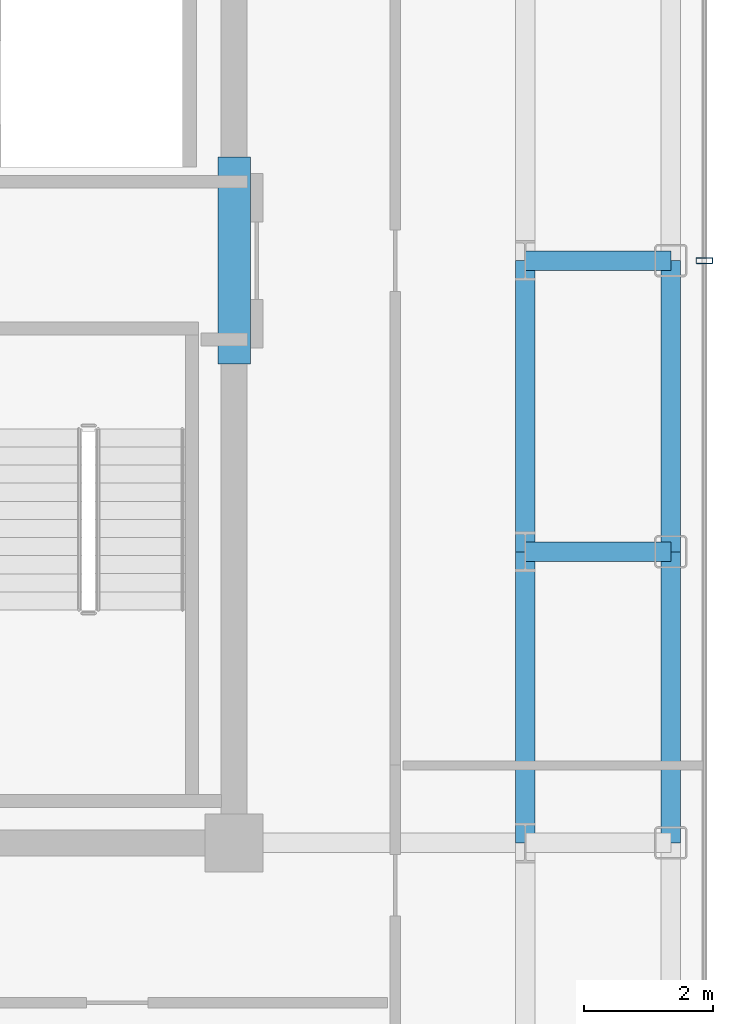
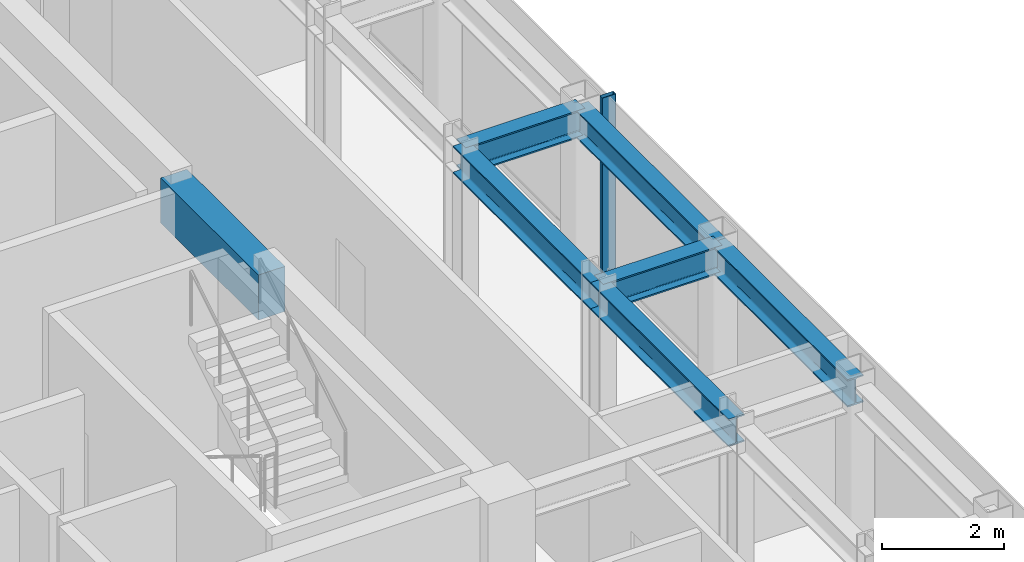
# One storey, part 7 of 18: 7 beams, 1 member, 1 element without a shape of its own.
"""IFC4 building model written with IfcOpenShell, lengths in metres."""

from ifc_helpers import new_model, si_unit, direction, frame, origin, origin_2d, place, context, subcontext, project, spatial, rectangle, hollow_rectangle, i_section, extrude, source, transform, mapped, material, layer, layer_set, material_profile, profile_set, type_object, element, aggregate, save


model = new_model("IFC4")

# Units and contexts
model_context = context("Model", 3, precision=1e-05, world=origin(), true_north=direction((0.0, 1.0)))
body_context = subcontext(model_context, "Body", "Model", "MODEL_VIEW")
ifc_project = project(units=[si_unit("LENGTHUNIT", "METRE"), si_unit("AREAUNIT", "SQUARE_METRE"), si_unit("VOLUMEUNIT", "CUBIC_METRE"), si_unit("PLANEANGLEUNIT", "RADIAN"), si_unit("MASSUNIT", "GRAM", prefix="KILO")], contexts=[model_context])

# Site, building, storey
site_placement = place(None, origin())
site = spatial("IfcSite", under=ifc_project, at=site_placement, CompositionType="ELEMENT")
building_placement = place(site_placement, origin())
building = spatial("IfcBuilding", under=site, at=building_placement, Name="Nefas-Gora Pilgrimage Tower", CompositionType="ELEMENT")
storey_placement = place(building_placement, frame((0.0, 0.0, 330.0)))
storey = spatial("IfcBuildingStorey", under=building, at=storey_placement, Name="L83", CompositionType="ELEMENT", Elevation=330.0)

# Beams
ifc_material_1 = material(Name="Concrete C50/60", Category="concrete")
ifc_material_profile_1 = material_profile(ifc_material_1, rectangle(XDim=0.5, YDim=0.89990234375, at=origin_2d()), Name="RC 500x900")
ifc_profile_set_1 = profile_set([ifc_material_profile_1], Name="Concrete C50/60")
beam_type_1 = type_object("IfcBeamType", Name="BM-LIN-RC900", PredefinedType="LINTEL", material=ifc_profile_set_1)
shared_shape_1 = source(origin(), body_context, "Body", "SweptSolid", [
    extrude(rectangle(XDim=0.5, YDim=0.89990234375, at=origin_2d()), origin(), (0.0, 0.0, 1.0), 3.2001953125),
])
beam_placement = place(storey_placement, frame((11.25, -1.60009765625, 3.10009765625), z_axis=(0.0, 1.0, 0.0), x_axis=(-1.0, 0.0, 0.0)))
element("IfcBeam", 1, at=beam_placement, inside=storey, type_object=beam_type_1, Name="L83 Core Coupling Lintel Beam E", PredefinedType="LINTEL", context=body_context, shape_type="MappedRepresentation", body=[
    mapped(shared_shape_1, transform((0.0, 0.0, 0.0), x_axis=(1.0, 0.0, 0.0), y_axis=(0.0, 1.0, 0.0), z_axis=(0.0, 0.0, 1.0), scale=1.0)),
])
ifc_material_2 = material(Name="Steel S355", Category="steel")
ifc_material_profile_2 = material_profile(ifc_material_2, i_section(OverallWidth=0.300048828125, OverallDepth=0.550048828125, WebThickness=0.014892578125, FlangeThickness=0.029052734375, FilletRadius=0.027099609375, at=origin_2d()), Name="HEB 550")
ifc_profile_set_2 = profile_set([ifc_material_profile_2], Name="Steel S355")
beam_type_2 = type_object("IfcBeamType", Name="BM-SPN-HEB400", PredefinedType="SPANDREL", material=ifc_profile_set_2)
shared_shape_2 = source(origin(), body_context, "Body", "SweptSolid", [
    extrude(i_section(OverallWidth=0.300048828125, OverallDepth=0.550048828125, WebThickness=0.014892578125, FlangeThickness=0.029052734375, FilletRadius=0.027099609375, at=origin_2d()), origin(), (0.0, 0.0, 1.0), 4.5),
])
for number, where, z_axis, x_axis, name in (
    (2, (18.0, -9.0, 3.27490234375), (0.0, 1.0, 0.0), (-1.0, 0.0, 0.0), "L83 SP-04 beam"),
    (3, (18.0, -4.5, 3.27490234375), (0.0, 1.0, 0.0), (-1.0, 0.0, 0.0), "L83 SP-04 beam"),
):
    element("IfcBeam", number, at=place(storey_placement, frame(where, z_axis=z_axis, x_axis=x_axis)), inside=storey, type_object=beam_type_2, Name=name, PredefinedType="SPANDREL", context=body_context, shape_type="MappedRepresentation", body=[
        mapped(shared_shape_2, transform((0.0, 0.0, 0.0), x_axis=(1.0, 0.0, 0.0), y_axis=(0.0, 1.0, 0.0), z_axis=(0.0, 0.0, 1.0), scale=1.0)),
    ])
ifc_material_profile_3 = material_profile(ifc_material_2, i_section(OverallWidth=0.300048828125, OverallDepth=0.550048828125, WebThickness=0.014892578125, FlangeThickness=0.029052734375, FilletRadius=0.027099609375, at=origin_2d()), Name="HEB 550")
ifc_profile_set_3 = profile_set([ifc_material_profile_3], Name="Steel S355")
beam_type_3 = type_object("IfcBeamType", Name="BM-GIR-HEB550", PredefinedType="BEAM", material=ifc_profile_set_3)
shared_shape_3 = source(origin(), body_context, "Body", "SweptSolid", [
    extrude(i_section(OverallWidth=0.300048828125, OverallDepth=0.550048828125, WebThickness=0.014892578125, FlangeThickness=0.029052734375, FilletRadius=0.027099609375, at=origin_2d()), origin(), (0.0, 0.0, 1.0), 4.5),
])
for number, where, z_axis, x_axis, name in (
    (4, (15.75, -9.0, 3.27490234375), (0.0, 1.0, 0.0), (-1.0, 0.0, 0.0), "L83 G-05 beam"),
    (5, (15.75, -4.5, 3.27490234375), (0.0, 1.0, 0.0), (-1.0, 0.0, 0.0), "L83 G-05 beam"),
):
    element("IfcBeam", number, at=place(storey_placement, frame(where, z_axis=z_axis, x_axis=x_axis)), inside=storey, type_object=beam_type_3, Name=name, PredefinedType="BEAM", context=body_context, shape_type="MappedRepresentation", body=[
        mapped(shared_shape_3, transform((0.0, 0.0, 0.0), x_axis=(1.0, 0.0, 0.0), y_axis=(0.0, 1.0, 0.0), z_axis=(0.0, 0.0, 1.0), scale=1.0)),
    ])
shared_shape_4 = source(origin(), body_context, "Body", "SweptSolid", [
    extrude(i_section(OverallWidth=0.300048828125, OverallDepth=0.550048828125, WebThickness=0.014892578125, FlangeThickness=0.029052734375, FilletRadius=0.027099609375, at=origin_2d()), origin(), (0.0, 0.0, 1.0), 2.25),
])
for number, where, z_axis, x_axis, name in (
    (6, (15.75, -4.5, 3.27490234375), (1.0, 0.0, 0.0), (0.0, 1.0, 0.0), "L83 G-05 beam"),
    (7, (15.75, 0.0, 3.27490234375), (1.0, 0.0, 0.0), (0.0, 1.0, 0.0), "L83 G-05 beam"),
):
    element("IfcBeam", number, at=place(storey_placement, frame(where, z_axis=z_axis, x_axis=x_axis)), inside=storey, type_object=beam_type_3, Name=name, PredefinedType="BEAM", context=body_context, shape_type="MappedRepresentation", body=[
        mapped(shared_shape_4, transform((0.0, 0.0, 0.0), x_axis=(1.0, 0.0, 0.0), y_axis=(0.0, 1.0, 0.0), z_axis=(0.0, 0.0, 1.0), scale=1.0)),
    ])

# Curtain wall, member
ifc_material_3 = material(Name="Dark ceramic-fritted solar-control aluminium-glass curtain wall", Category="aluminium")
ifc_layer = layer(ifc_material_3, 0.219970703125)
ifc_layer_set = layer_set([ifc_layer], Name="Dark ceramic-fritted solar-control aluminium-glass curtain wall")
curtain_wall_type = type_object("IfcCurtainWallType", Name="CW-SYS-4", PredefinedType="NOTDEFINED", material=ifc_layer_set)
curtain_wall_placement = place(storey_placement, origin())
curtain_wall = element("IfcCurtainWall", 8, at=curtain_wall_placement, inside=storey, type_object=curtain_wall_type, Name="L83 Unitised Curtain Wall CW4", PredefinedType="NOTDEFINED")
ifc_material_4 = material(Name="Anodised architectural aluminium", Category="aluminium")
ifc_material_profile_4 = material_profile(ifc_material_4, hollow_rectangle(XDim=0.090087890625, YDim=0.260009765625, WallThickness=0.006103515625, InnerFilletRadius=0.006103515625, OuterFilletRadius=0.011962890625, at=origin_2d()), Name="ALU MULLION 90x260")
ifc_profile_set_4 = profile_set([ifc_material_profile_4], Name="Anodised architectural aluminium")
member_type = type_object("IfcMemberType", Name="CWM-MUL-4", PredefinedType="MULLION", material=ifc_profile_set_4)
shared_shape_5 = source(origin(), body_context, "Body", "SweptSolid", [
    extrude(hollow_rectangle(XDim=0.090087890625, YDim=0.260009765625, WallThickness=0.006103515625, InnerFilletRadius=0.006103515625, OuterFilletRadius=0.011962890625, at=origin_2d()), origin(), (0.0, 0.0, 1.0), 3.550048828125),
])
member_placement = place(storey_placement, frame((18.52001953125, 0.0, 0.0), z_axis=(0.0, 0.0, 1.0), x_axis=(0.0, 1.0, 0.0)))
member = element("IfcMember", 9, at=member_placement, type_object=member_type, Name="CW4 Mullion 2", PredefinedType="MULLION", context=body_context, shape_type="MappedRepresentation", body=[
    mapped(shared_shape_5, transform((0.0, 0.0, 0.0), x_axis=(1.0, 0.0, 0.0), y_axis=(0.0, 1.0, 0.0), z_axis=(0.0, 0.0, 1.0), scale=1.0)),
])
aggregate(curtain_wall, [member])

save(model, "model.ifc")
